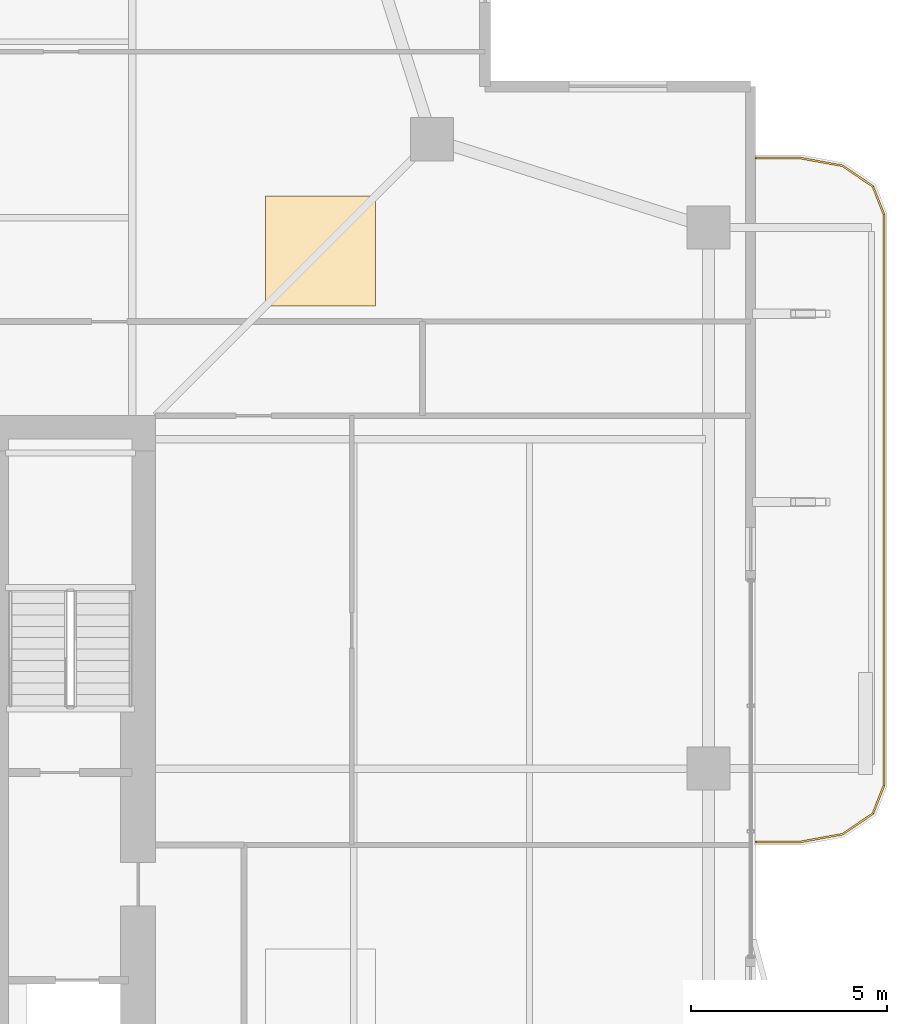
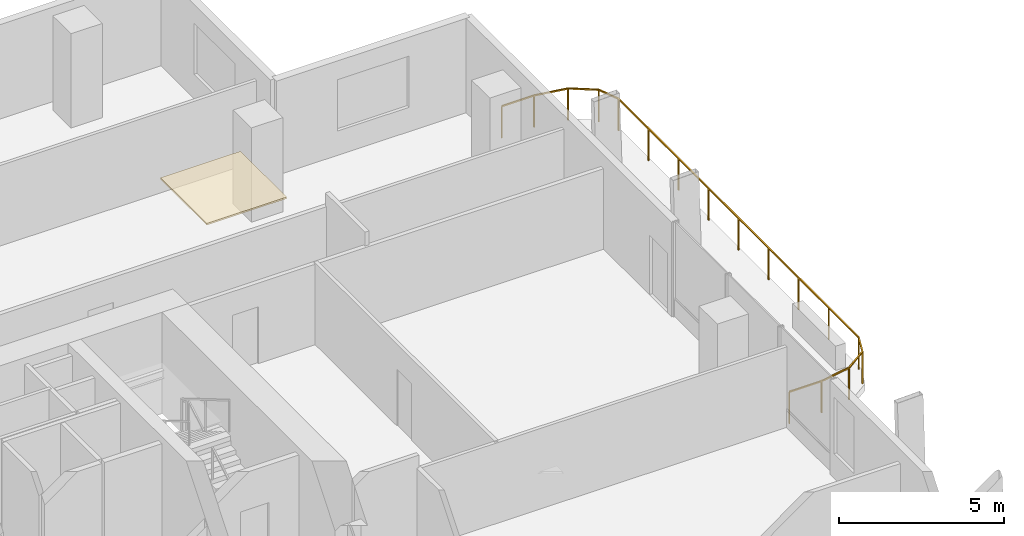
# One storey, part 25 of 25: 1 covering, 1 railing.
"""IFC4 building model written with IfcOpenShell, lengths in metres."""

from ifc_helpers import new_model, si_unit, direction, frame, origin, origin_2d, place, context, subcontext, project, spatial, polyline, rectangle, outline, extrude, material, layer, layer_set, type_object, element, save


model = new_model("IFC4")

# Units and contexts
model_context = context("Model", 3, precision=1e-05, world=origin(), true_north=direction((0.0, 1.0)))
body_context = subcontext(model_context, "Body", "Model", "MODEL_VIEW")
ifc_project = project(units=[si_unit("LENGTHUNIT", "METRE"), si_unit("AREAUNIT", "SQUARE_METRE"), si_unit("VOLUMEUNIT", "CUBIC_METRE"), si_unit("PLANEANGLEUNIT", "RADIAN"), si_unit("MASSUNIT", "GRAM", prefix="KILO")], contexts=[model_context])

# Site, building, storey
site_placement = place(None, origin())
site = spatial("IfcSite", under=ifc_project, at=site_placement, CompositionType="ELEMENT")
building_placement = place(site_placement, origin())
building = spatial("IfcBuilding", under=site, at=building_placement, Name="Belovzor Exchange Tower", CompositionType="ELEMENT")
storey_placement = place(building_placement, frame((0.0, 0.0, 153.300048828125)))
storey = spatial("IfcBuildingStorey", under=building, at=storey_placement, Name="L37", CompositionType="ELEMENT", Elevation=153.300048828125)

# Railing
ifc_material_1 = material(Name="Stainless Steel and Laminated Safety Glass", Category="steel")
railing_type = type_object("IfcRailingType", Name="Laminated Glass & Stainless Steel Balcony Balustrade 1200", PredefinedType="BALUSTRADE", material=ifc_material_1)
railing_placement = place(storey_placement, frame((53.110107421875, 26.929931640625, 0.0)))
element("IfcRailing", 1, at=railing_placement, inside=storey, type_object=railing_type, Name="GR-1 Balcony Balustrade L37 East", PredefinedType="BALUSTRADE", context=body_context, shape_type="SweptSolid", body=[
    extrude(rectangle(XDim=0.048095703125, YDim=0.048095703125, at=origin_2d()), frame((0.0, 0.0, 1.17578125), z_axis=(1.0, 0.0, 0.0), x_axis=(0.0, 1.0, 0.0)), (0.0, 0.0, 1.0), 1.1328125),
    extrude(rectangle(XDim=0.048095703125, YDim=0.048095703125, at=origin_2d()), frame((1.1328125, 0.0, 1.17578125), z_axis=(0.983651385113, 0.180083182347, 0.0), x_axis=(-0.180083182347, 0.983651385113, 0.0)), (0.0, 0.0, 1.0), 1.093994140625),
    extrude(rectangle(XDim=0.048095703125, YDim=0.048095703125, at=origin_2d()), frame((2.208984375, 0.197021484375, 1.17578125), z_axis=(0.826493025367, 0.56294695933, 0.0), x_axis=(-0.56294695933, 0.826493025367, 0.0)), (0.0, 0.0, 1.0), 0.932861328125),
    extrude(rectangle(XDim=0.048095703125, YDim=0.048095703125, at=origin_2d()), frame((2.97998046875, 0.72216796875, 1.17578125), z_axis=(0.365612923861, 0.930766990125, 0.0), x_axis=(-0.930766990125, 0.365612923861, 0.0)), (0.0, 0.0, 1.0), 0.765869140625),
    extrude(rectangle(XDim=0.048095703125, YDim=0.048095703125, at=origin_2d()), frame((3.260009765625, 1.43505859375, 1.17578125), z_axis=(0.0, 1.0, 0.0), x_axis=(-1.0, 0.0, 0.0)), (0.0, 0.0, 1.0), 14.570068359375),
    extrude(rectangle(XDim=0.048095703125, YDim=0.048095703125, at=origin_2d()), frame((3.260009765625, 16.005126953125, 1.17578125), z_axis=(-0.365612923861, 0.930766990125, 0.0), x_axis=(-0.930766990125, -0.365612923861, 0.0)), (0.0, 0.0, 1.0), 0.765869140625),
    extrude(rectangle(XDim=0.048095703125, YDim=0.048095703125, at=origin_2d()), frame((2.97998046875, 16.718017578125, 1.17578125), z_axis=(-0.826493025367, 0.56294695933, 0.0), x_axis=(-0.56294695933, -0.826493025367, 0.0)), (0.0, 0.0, 1.0), 0.932861328125),
    extrude(rectangle(XDim=0.048095703125, YDim=0.048095703125, at=origin_2d()), frame((2.208984375, 17.2431640625, 1.17578125), z_axis=(-0.983651385113, 0.180083182347, 0.0), x_axis=(-0.180083182347, -0.983651385113, 0.0)), (0.0, 0.0, 1.0), 1.093994140625),
    extrude(rectangle(XDim=0.048095703125, YDim=0.048095703125, at=origin_2d()), frame((1.1328125, 17.440185546875, 1.17578125), z_axis=(-1.0, 0.0, 0.0), x_axis=(0.0, -1.0, 0.0)), (0.0, 0.0, 1.0), 1.1328125),
    extrude(rectangle(XDim=0.0419921875, YDim=0.0419921875, at=origin_2d()), origin(), (0.0, 0.0, 1.0), 1.15185546875),
    extrude(rectangle(XDim=0.0419921875, YDim=0.0419921875, at=origin_2d()), frame((1.1328125, 0.0, 0.0)), (0.0, 0.0, 1.0), 1.15185546875),
    extrude(rectangle(XDim=0.0419921875, YDim=0.0419921875, at=origin_2d()), frame((2.208984375, 0.197021484375, 0.0)), (0.0, 0.0, 1.0), 1.15185546875),
    extrude(rectangle(XDim=0.0419921875, YDim=0.0419921875, at=origin_2d()), frame((2.97998046875, 0.72216796875, 0.0)), (0.0, 0.0, 1.0), 1.15185546875),
    extrude(rectangle(XDim=0.0419921875, YDim=0.0419921875, at=origin_2d()), frame((3.260009765625, 1.43505859375, 0.0)), (0.0, 0.0, 1.0), 1.15185546875),
    extrude(rectangle(XDim=0.0419921875, YDim=0.0419921875, at=origin_2d()), frame((3.260009765625, 3.25634765625, 0.0)), (0.0, 0.0, 1.0), 1.15185546875),
    extrude(rectangle(XDim=0.0419921875, YDim=0.0419921875, at=origin_2d()), frame((3.260009765625, 5.07763671875, 0.0)), (0.0, 0.0, 1.0), 1.15185546875),
    extrude(rectangle(XDim=0.0419921875, YDim=0.0419921875, at=origin_2d()), frame((3.260009765625, 6.89892578125, 0.0)), (0.0, 0.0, 1.0), 1.15185546875),
    extrude(rectangle(XDim=0.0419921875, YDim=0.0419921875, at=origin_2d()), frame((3.260009765625, 8.72021484375, 0.0)), (0.0, 0.0, 1.0), 1.15185546875),
    extrude(rectangle(XDim=0.0419921875, YDim=0.0419921875, at=origin_2d()), frame((3.260009765625, 10.541259765625, 0.0)), (0.0, 0.0, 1.0), 1.15185546875),
    extrude(rectangle(XDim=0.0419921875, YDim=0.0419921875, at=origin_2d()), frame((3.260009765625, 12.362548828125, 0.0)), (0.0, 0.0, 1.0), 1.15185546875),
    extrude(rectangle(XDim=0.0419921875, YDim=0.0419921875, at=origin_2d()), frame((3.260009765625, 14.183837890625, 0.0)), (0.0, 0.0, 1.0), 1.15185546875),
    extrude(rectangle(XDim=0.0419921875, YDim=0.0419921875, at=origin_2d()), frame((3.260009765625, 16.005126953125, 0.0)), (0.0, 0.0, 1.0), 1.15185546875),
    extrude(rectangle(XDim=0.0419921875, YDim=0.0419921875, at=origin_2d()), frame((2.97998046875, 16.718017578125, 0.0)), (0.0, 0.0, 1.0), 1.15185546875),
    extrude(rectangle(XDim=0.0419921875, YDim=0.0419921875, at=origin_2d()), frame((2.208984375, 17.2431640625, 0.0)), (0.0, 0.0, 1.0), 1.15185546875),
    extrude(rectangle(XDim=0.0419921875, YDim=0.0419921875, at=origin_2d()), frame((1.1328125, 17.440185546875, 0.0)), (0.0, 0.0, 1.0), 1.15185546875),
    extrude(rectangle(XDim=0.0419921875, YDim=0.0419921875, at=origin_2d()), frame((0.0, 17.440185546875, 0.0)), (0.0, 0.0, 1.0), 1.15185546875),
])

# Covering
ifc_material_2 = material(Name="Perforated Powder-Coated Aluminium", Category="aluminium")
ifc_layer = layer(ifc_material_2, 0.06005859375)
ifc_layer_set = layer_set([ifc_layer], Name="Perforated Powder-Coated Aluminium")
covering_type = type_object("IfcCoveringType", Name="Perforated Acoustic Metal Tile Suspended Ceiling 60", PredefinedType="CEILING", material=ifc_layer_set)
covering_placement = place(storey_placement, frame((0.0, 0.0, 3.43505859375)))
element("IfcCovering", 2, at=covering_placement, inside=storey, type_object=covering_type, Name="CLG-AC60 Suspended Ceiling CLG-L37-Z1", PredefinedType="CEILING", context=body_context, shape_type="SweptSolid", body=[
    extrude(outline(polyline([(40.60009765625, 40.60009765625), (43.39990234375, 40.60009765625), (43.39990234375, 43.39990234375), (40.60009765625, 43.39990234375), (40.60009765625, 40.60009765625)])), origin(), (0.0, 0.0, 1.0), 0.059814453125),
])

save(model, "model.ifc")
